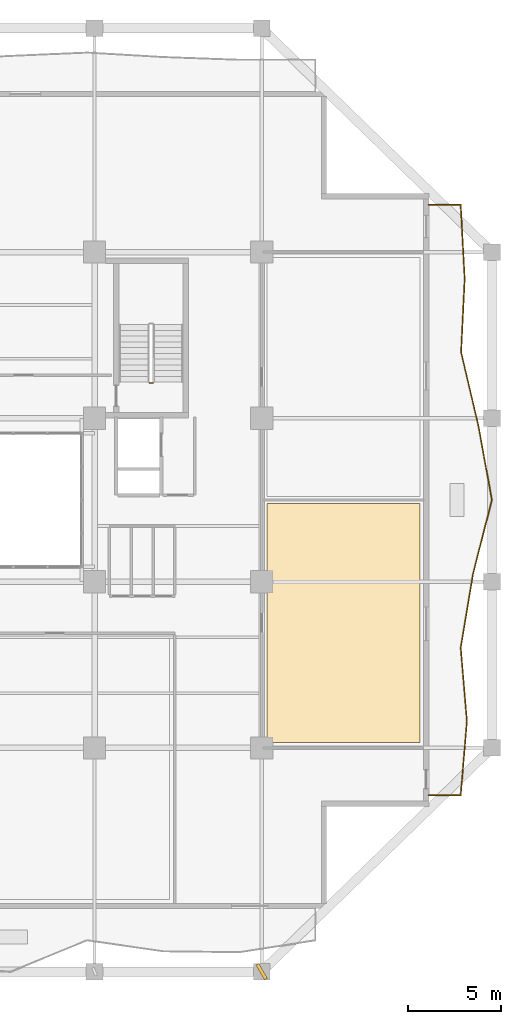
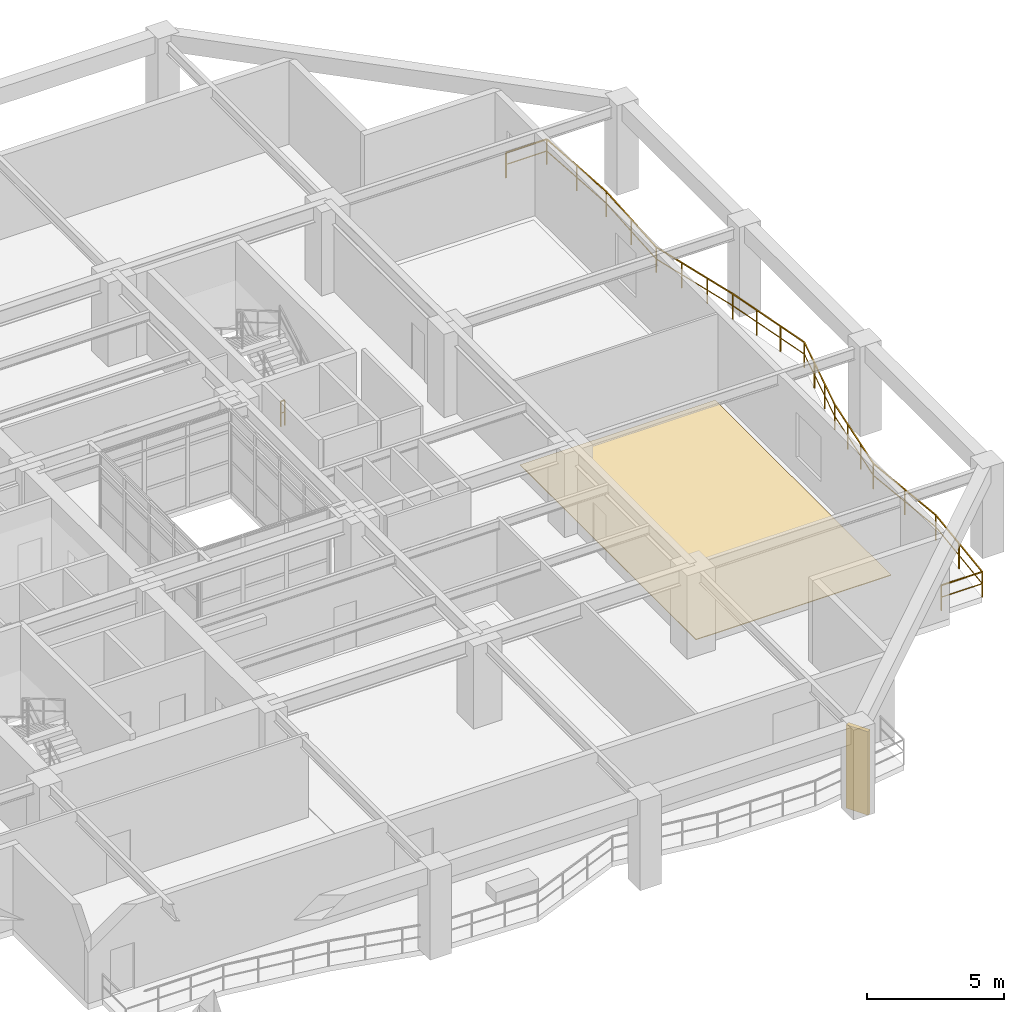
# One storey, part 13 of 17: 2 railings, 1 covering, 1 shading device.
"""IFC4 building model written with IfcOpenShell, lengths in metres."""

from ifc_helpers import new_model, si_unit, direction, frame, origin, origin_2d, place, context, subcontext, project, spatial, polyline, rectangle, outline, extrude, material, layer, layer_set, type_object, element, save


model = new_model("IFC4")

# Units and contexts
model_context = context("Model", 3, precision=1e-05, world=origin(), true_north=direction((0.0, 1.0)))
body_context = subcontext(model_context, "Body", "Model", "MODEL_VIEW")
ifc_project = project(units=[si_unit("LENGTHUNIT", "METRE"), si_unit("AREAUNIT", "SQUARE_METRE"), si_unit("VOLUMEUNIT", "CUBIC_METRE"), si_unit("PLANEANGLEUNIT", "RADIAN"), si_unit("MASSUNIT", "GRAM", prefix="KILO")], contexts=[model_context])

# Site, building, storey
site_placement = place(None, origin())
site = spatial("IfcSite", under=ifc_project, at=site_placement, CompositionType="ELEMENT")
building_placement = place(site_placement, origin())
building = spatial("IfcBuilding", under=site, at=building_placement, Name="Kundavana Baori Tower", CompositionType="ELEMENT")
storey_placement = place(building_placement, frame((0.0, 0.0, 30.0)))
storey = spatial("IfcBuildingStorey", under=building, at=storey_placement, Name="L06", CompositionType="ELEMENT", Elevation=30.0)

# Covering
ifc_material_1 = material(Name="Honed Kota Stone and Terrazzo Flooring", Category="masonry")
ifc_layer = layer(ifc_material_1, 0.030029296875, Name="COV-INT-FLR")
ifc_layer_set = layer_set([ifc_layer], Name="Honed Kota Stone and Terrazzo Flooring")
covering_type = type_object("IfcCoveringType", Name="COV-INT-FLR", PredefinedType="FLOORING", material=ifc_layer_set)
covering_placement = place(storey_placement, origin())
element("IfcCovering", 1, at=covering_placement, inside=storey, type_object=covering_type, Name="L06 Room Finished Stone Flooring 3", PredefinedType="FLOORING", context=body_context, shape_type="SweptSolid", body=[
    extrude(outline(polyline([(43.10009765625, 15.550048828125), (51.320068359375, 15.550048828125), (51.320068359375, 28.39990234375), (43.10009765625, 28.39990234375), (43.10009765625, 15.550048828125)])), origin(), (0.0, 0.0, 1.0), 0.030029296875),
])

# Railings
ifc_material_2 = material(Name="Architectural Patinated Bronze Metalwork")
railing_type_1 = type_object("IfcRailingType", Name="RL-BAL-1150", PredefinedType="BALUSTRADE", material=ifc_material_2)
railing_1_placement = place(storey_placement, frame((51.800048828125, 44.5, 0.0)))
element("IfcRailing", 2, at=railing_1_placement, inside=storey, type_object=railing_type_1, Name="L06 Loggia Balcony Balustrade E", PredefinedType="BALUSTRADE", context=body_context, shape_type="SweptSolid", body=[
    extrude(rectangle(XDim=0.048095703125, YDim=0.048095703125, at=origin_2d()), frame((0.0, 0.0, 1.1259765625), z_axis=(1.0, 0.0, 0.0), x_axis=(0.0, 1.0, 0.0)), (0.0, 0.0, 1.0), 1.719970703125),
    extrude(rectangle(XDim=0.03125, YDim=0.03125, at=origin_2d()), frame((0.0, 0.0, 0.597900390625), z_axis=(1.0, 0.0, 0.0), x_axis=(0.0, 1.0, 0.0)), (0.0, 0.0, 1.0), 1.719970703125),
    extrude(rectangle(XDim=0.048095703125, YDim=0.048095703125, at=origin_2d()), frame((1.719970703125, 0.0, 1.1259765625), z_axis=(0.054274386588, -0.99852605923, 0.0), x_axis=(0.99852605923, 0.054274386588, 0.0)), (0.0, 0.0, 1.0), 3.98095703125),
    extrude(rectangle(XDim=0.03125, YDim=0.03125, at=origin_2d()), frame((1.719970703125, 0.0, 0.597900390625), z_axis=(0.054274386588, -0.99852605923, 0.0), x_axis=(0.99852605923, 0.054274386588, 0.0)), (0.0, 0.0, 1.0), 3.98095703125),
    extrude(rectangle(XDim=0.048095703125, YDim=0.048095703125, at=origin_2d()), frame((1.93603515625, -3.97509765625, 1.1259765625), z_axis=(-0.048282178605, -0.998833735528, 0.0), x_axis=(0.998833735528, -0.048282178605, 0.0)), (0.0, 0.0, 1.0), 3.9794921875),
    extrude(rectangle(XDim=0.03125, YDim=0.03125, at=origin_2d()), frame((1.93603515625, -3.97509765625, 0.597900390625), z_axis=(-0.048282178605, -0.998833735528, 0.0), x_axis=(0.998833735528, -0.048282178605, 0.0)), (0.0, 0.0, 1.0), 3.9794921875),
    extrude(rectangle(XDim=0.048095703125, YDim=0.048095703125, at=origin_2d()), frame((1.743896484375, -7.949951171875, 1.1259765625), z_axis=(0.229205937216, -0.973377952465, 0.0), x_axis=(0.973377952465, 0.229205937216, 0.0)), (0.0, 0.0, 1.0), 4.083740234375),
    extrude(rectangle(XDim=0.03125, YDim=0.03125, at=origin_2d()), frame((1.743896484375, -7.949951171875, 0.597900390625), z_axis=(0.229205937216, -0.973377952465, 0.0), x_axis=(0.973377952465, 0.229205937216, 0.0)), (0.0, 0.0, 1.0), 4.083740234375),
    extrude(rectangle(XDim=0.048095703125, YDim=0.048095703125, at=origin_2d()), frame((2.679931640625, -11.925048828125, 1.1259765625), z_axis=(0.17823121937, -0.983988634305, 0.0), x_axis=(0.983988634305, 0.17823121937, 0.0)), (0.0, 0.0, 1.0), 4.03955078125),
    extrude(rectangle(XDim=0.03125, YDim=0.03125, at=origin_2d()), frame((2.679931640625, -11.925048828125, 0.597900390625), z_axis=(0.17823121937, -0.983988634305, 0.0), x_axis=(0.983988634305, 0.17823121937, 0.0)), (0.0, 0.0, 1.0), 4.03955078125),
    extrude(rectangle(XDim=0.048095703125, YDim=0.048095703125, at=origin_2d()), frame((3.39990234375, -15.89990234375, 1.1259765625), z_axis=(-0.247377301987, -0.968919228038, 0.0), x_axis=(0.968919228038, -0.247377301987, 0.0)), (0.0, 0.0, 1.0), 4.1025390625),
    extrude(rectangle(XDim=0.03125, YDim=0.03125, at=origin_2d()), frame((3.39990234375, -15.89990234375, 0.597900390625), z_axis=(-0.247377301987, -0.968919228038, 0.0), x_axis=(0.968919228038, -0.247377301987, 0.0)), (0.0, 0.0, 1.0), 4.1025390625),
    extrude(rectangle(XDim=0.048095703125, YDim=0.048095703125, at=origin_2d()), frame((2.385009765625, -19.875, 1.1259765625), z_axis=(-0.164300743998, -0.986410292688, 0.0), x_axis=(0.986410292688, -0.164300743998, 0.0)), (0.0, 0.0, 1.0), 4.02978515625),
    extrude(rectangle(XDim=0.03125, YDim=0.03125, at=origin_2d()), frame((2.385009765625, -19.875, 0.597900390625), z_axis=(-0.164300743998, -0.986410292688, 0.0), x_axis=(0.986410292688, -0.164300743998, 0.0)), (0.0, 0.0, 1.0), 4.02978515625),
    extrude(rectangle(XDim=0.048095703125, YDim=0.048095703125, at=origin_2d()), frame((1.722900390625, -23.85009765625, 1.1259765625), z_axis=(0.083729274706, -0.9964885391, 0.0), x_axis=(0.9964885391, 0.083729274706, 0.0)), (0.0, 0.0, 1.0), 3.98876953125),
    extrude(rectangle(XDim=0.03125, YDim=0.03125, at=origin_2d()), frame((1.722900390625, -23.85009765625, 0.597900390625), z_axis=(0.083729274706, -0.9964885391, 0.0), x_axis=(0.9964885391, 0.083729274706, 0.0)), (0.0, 0.0, 1.0), 3.98876953125),
    extrude(rectangle(XDim=0.048095703125, YDim=0.048095703125, at=origin_2d()), frame((2.056884765625, -27.824951171875, 1.1259765625), z_axis=(-0.084453375278, -0.996427432081, 0.0), x_axis=(0.996427432081, -0.084453375278, 0.0)), (0.0, 0.0, 1.0), 3.9892578125),
    extrude(rectangle(XDim=0.03125, YDim=0.03125, at=origin_2d()), frame((2.056884765625, -27.824951171875, 0.597900390625), z_axis=(-0.084453375278, -0.996427432081, 0.0), x_axis=(0.996427432081, -0.084453375278, 0.0)), (0.0, 0.0, 1.0), 3.9892578125),
    extrude(rectangle(XDim=0.048095703125, YDim=0.048095703125, at=origin_2d()), frame((1.719970703125, -31.800048828125, 1.1259765625), z_axis=(-1.0, 0.0, 0.0), x_axis=(0.0, -1.0, 0.0)), (0.0, 0.0, 1.0), 1.719970703125),
    extrude(rectangle(XDim=0.03125, YDim=0.03125, at=origin_2d()), frame((1.719970703125, -31.800048828125, 0.597900390625), z_axis=(-1.0, 0.0, 0.0), x_axis=(0.0, -1.0, 0.0)), (0.0, 0.0, 1.0), 1.719970703125),
    extrude(rectangle(XDim=0.0419921875, YDim=0.0419921875, at=origin_2d()), origin(), (0.0, 0.0, 1.0), 1.101806640625),
    extrude(rectangle(XDim=0.0419921875, YDim=0.0419921875, at=origin_2d()), frame((1.719970703125, 0.0, 0.0)), (0.0, 0.0, 1.0), 1.101806640625),
    extrude(rectangle(XDim=0.0419921875, YDim=0.0419921875, at=origin_2d()), frame((1.828125, -1.987548828125, 0.0)), (0.0, 0.0, 1.0), 1.101806640625),
    extrude(rectangle(XDim=0.0419921875, YDim=0.0419921875, at=origin_2d()), frame((1.93603515625, -3.97509765625, 0.0)), (0.0, 0.0, 1.0), 1.101806640625),
    extrude(rectangle(XDim=0.0419921875, YDim=0.0419921875, at=origin_2d()), frame((1.83984375, -5.96240234375, 0.0)), (0.0, 0.0, 1.0), 1.101806640625),
    extrude(rectangle(XDim=0.0419921875, YDim=0.0419921875, at=origin_2d()), frame((1.743896484375, -7.949951171875, 0.0)), (0.0, 0.0, 1.0), 1.101806640625),
    extrude(rectangle(XDim=0.0419921875, YDim=0.0419921875, at=origin_2d()), frame((2.055908203125, -9.27490234375, 0.0)), (0.0, 0.0, 1.0), 1.101806640625),
    extrude(rectangle(XDim=0.0419921875, YDim=0.0419921875, at=origin_2d()), frame((2.367919921875, -10.60009765625, 0.0)), (0.0, 0.0, 1.0), 1.101806640625),
    extrude(rectangle(XDim=0.0419921875, YDim=0.0419921875, at=origin_2d()), frame((2.679931640625, -11.925048828125, 0.0)), (0.0, 0.0, 1.0), 1.101806640625),
    extrude(rectangle(XDim=0.0419921875, YDim=0.0419921875, at=origin_2d()), frame((2.919921875, -13.25, 0.0)), (0.0, 0.0, 1.0), 1.101806640625),
    extrude(rectangle(XDim=0.0419921875, YDim=0.0419921875, at=origin_2d()), frame((3.159912109375, -14.574951171875, 0.0)), (0.0, 0.0, 1.0), 1.101806640625),
    extrude(rectangle(XDim=0.0419921875, YDim=0.0419921875, at=origin_2d()), frame((3.39990234375, -15.89990234375, 0.0)), (0.0, 0.0, 1.0), 1.101806640625),
    extrude(rectangle(XDim=0.0419921875, YDim=0.0419921875, at=origin_2d()), frame((3.0615234375, -17.224853515625, 0.0)), (0.0, 0.0, 1.0), 1.101806640625),
    extrude(rectangle(XDim=0.0419921875, YDim=0.0419921875, at=origin_2d()), frame((2.723388671875, -18.550048828125, 0.0)), (0.0, 0.0, 1.0), 1.101806640625),
    extrude(rectangle(XDim=0.0419921875, YDim=0.0419921875, at=origin_2d()), frame((2.385009765625, -19.875, 0.0)), (0.0, 0.0, 1.0), 1.101806640625),
    extrude(rectangle(XDim=0.0419921875, YDim=0.0419921875, at=origin_2d()), frame((2.164306640625, -21.199951171875, 0.0)), (0.0, 0.0, 1.0), 1.101806640625),
    extrude(rectangle(XDim=0.0419921875, YDim=0.0419921875, at=origin_2d()), frame((1.943603515625, -22.525146484375, 0.0)), (0.0, 0.0, 1.0), 1.101806640625),
    extrude(rectangle(XDim=0.0419921875, YDim=0.0419921875, at=origin_2d()), frame((1.722900390625, -23.85009765625, 0.0)), (0.0, 0.0, 1.0), 1.101806640625),
    extrude(rectangle(XDim=0.0419921875, YDim=0.0419921875, at=origin_2d()), frame((1.889892578125, -25.83740234375, 0.0)), (0.0, 0.0, 1.0), 1.101806640625),
    extrude(rectangle(XDim=0.0419921875, YDim=0.0419921875, at=origin_2d()), frame((2.056884765625, -27.824951171875, 0.0)), (0.0, 0.0, 1.0), 1.101806640625),
    extrude(rectangle(XDim=0.0419921875, YDim=0.0419921875, at=origin_2d()), frame((1.888427734375, -29.8125, 0.0)), (0.0, 0.0, 1.0), 1.101806640625),
    extrude(rectangle(XDim=0.0419921875, YDim=0.0419921875, at=origin_2d()), frame((1.719970703125, -31.800048828125, 0.0)), (0.0, 0.0, 1.0), 1.101806640625),
    extrude(rectangle(XDim=0.0419921875, YDim=0.0419921875, at=origin_2d()), frame((0.0, -31.800048828125, 0.0)), (0.0, 0.0, 1.0), 1.101806640625),
])
ifc_material_3 = material(Name="Architectural Patinated Bronze Metalwork")
railing_type_2 = type_object("IfcRailingType", Name="RL-GRD-1150", PredefinedType="GUARDRAIL", material=ifc_material_3)
railing_2_placement = place(storey_placement, frame((36.929931640625, 34.89990234375, 0.0)))
element("IfcRailing", 3, at=railing_2_placement, inside=storey, type_object=railing_type_2, Name="L06 ST3 stair guard 4", PredefinedType="GUARDRAIL", context=body_context, shape_type="SweptSolid", body=[
    extrude(rectangle(XDim=0.048095703125, YDim=0.048095703125, at=origin_2d()), frame((0.0, 0.0, 1.1259765625), z_axis=(-1.0, 0.0, 0.0), x_axis=(0.0, -1.0, 0.0)), (0.0, 0.0, 1.0), 0.159912109375),
    extrude(rectangle(XDim=0.03125, YDim=0.03125, at=origin_2d()), frame((0.0, 0.0, 0.597900390625), z_axis=(-1.0, 0.0, 0.0), x_axis=(0.0, -1.0, 0.0)), (0.0, 0.0, 1.0), 0.159912109375),
    extrude(rectangle(XDim=0.0419921875, YDim=0.0419921875, at=origin_2d()), origin(), (0.0, 0.0, 1.0), 1.101806640625),
    extrude(rectangle(XDim=0.0419921875, YDim=0.0419921875, at=origin_2d()), frame((-0.159912109375, 0.0, 0.0)), (0.0, 0.0, 1.0), 1.101806640625),
])

# Shading device
ifc_material_4 = material(Name="Red-Buff Dholpur Sandstone Cladding on Concrete C40/50", Category="masonry")
shading_device_type = type_object("IfcShadingDeviceType", Name="SHD-FIN-920", PredefinedType="JALOUSIE", material=ifc_material_4)
shading_device_placement = place(storey_placement, frame((42.800048828125, 3.199951171875, 0.0), z_axis=(0.0, 0.0, 1.0), x_axis=(0.864450336381, 0.502718227172, 0.0)))
element("IfcShadingDevice", 4, at=shading_device_placement, inside=storey, type_object=shading_device_type, Name="L06 Sweeping Dholpur Sandstone Facade Fin 4", PredefinedType="JALOUSIE", context=body_context, shape_type="SweptSolid", body=[
    extrude(rectangle(XDim=0.179931640625, YDim=0.919921875, at=origin_2d()), origin(), (0.0, 0.0, 1.0), 3.719970703125),
])

save(model, "model.ifc")
